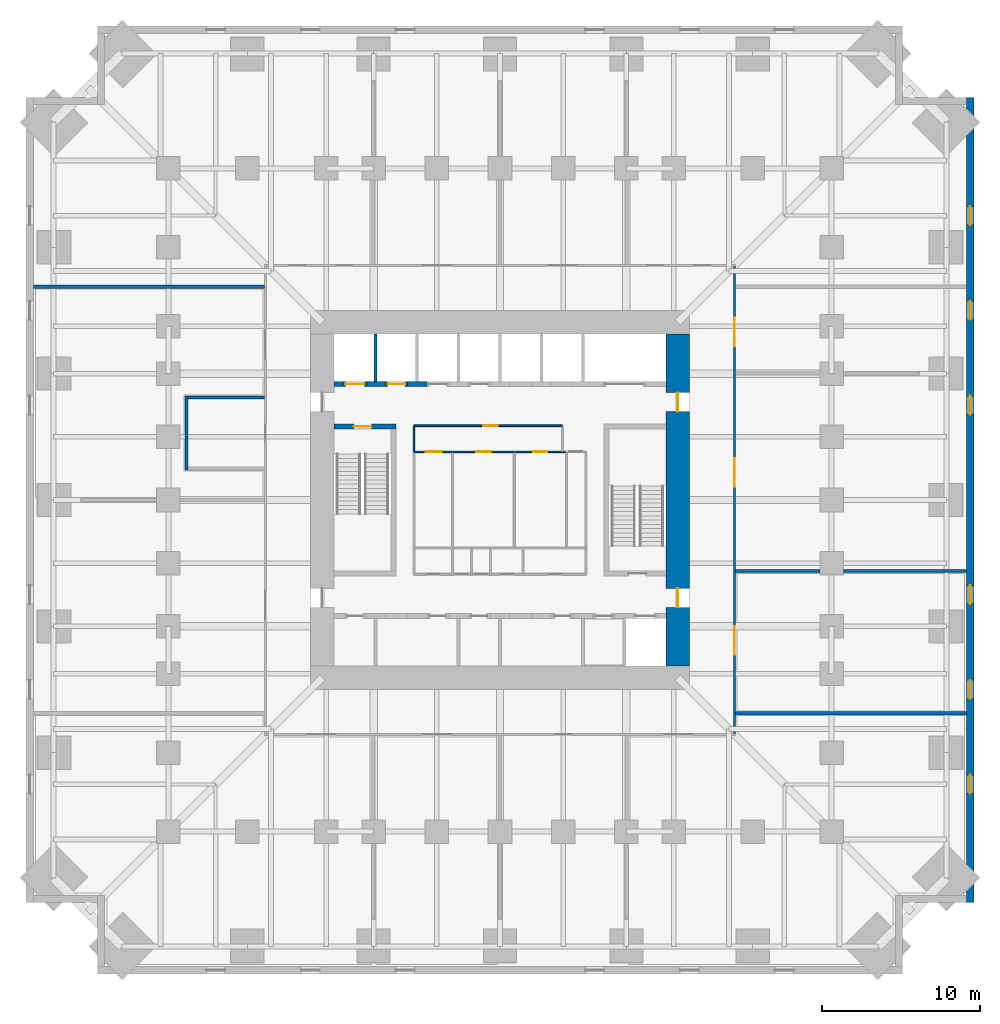
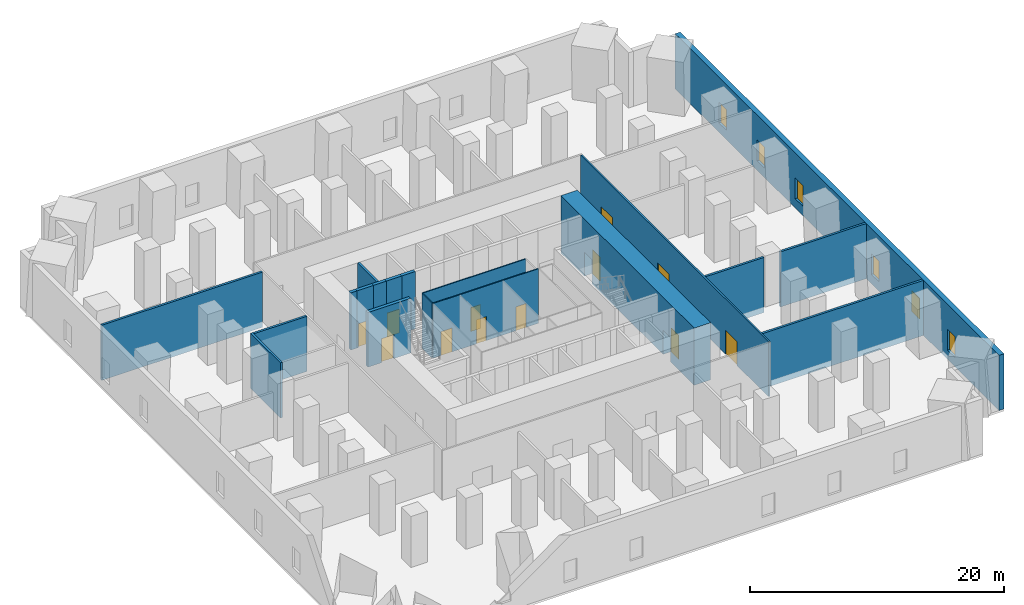
# One storey, part 5 of 8: 19 walls, 12 doors, 6 windows, 18 openings.
"""IFC4 building model written with IfcOpenShell, lengths in metres."""

import ifcopenshell
import ifcopenshell.guid

model = None  # the IFC model being written
_history = None  # IfcOwnerHistory: only IFC2X3 demands one
_inside = {}  # id of a spatial element -> (the spatial element, [elements in it])
_under = {}  # id of a project, library or spatial element -> (it, [spatial elements below it])
_declared = {}  # id of a project -> (the project, [libraries it declares])
_typed = {}  # id of a type object -> (the type object, [elements of that type])
_made_of = {}  # id of a material, layer set ... -> (it, [elements and type objects made of it])


def new_model(schema):
    """Start an empty IFC model of exactly this schema.

    Asked for "IFC4X3", IfcOpenShell would pick the latest addendum, in which some entities
    have other attributes; the version numbers below select the first issue.
    IFC2X3 requires an IfcOwnerHistory on every rooted entity: one is made here for all.
    """
    global model, _history
    if schema == "IFC4X3":
        model = ifcopenshell.file(schema_version=(4, 3, 0, 0))
    else:
        model = ifcopenshell.file(schema=schema)
    _inside.clear()
    _under.clear()
    _declared.clear()
    _typed.clear()
    _made_of.clear()
    _history = None
    if model.schema == "IFC2X3":
        org = make("IfcOrganization", Name="unknown")
        user = make(
            "IfcPersonAndOrganization",
            ThePerson=make("IfcPerson", FamilyName="unknown"),
            TheOrganization=org,
        )
        app = make(
            "IfcApplication",
            ApplicationDeveloper=org,
            Version="unknown",
            ApplicationFullName="unknown",
            ApplicationIdentifier="unknown",
        )
        _history = make(
            "IfcOwnerHistory",
            OwningUser=user,
            OwningApplication=app,
            ChangeAction="ADDED",
            CreationDate=0,
        )
    return model


def make(cls, **values):
    """One entity of the class cls with the attributes given. An attribute that is None is left unset."""
    return model.create_entity(
        cls, **{name: value for name, value in values.items() if value is not None}
    )


def rooted(cls, **values):
    """An entity with a GlobalId (a new one), such as an element, a storey or a relation."""
    return make(cls, GlobalId=ifcopenshell.guid.new(), OwnerHistory=_history, **values)


def si_unit(unit_type, name, prefix=None):
    """IfcSIUnit, for example si_unit("LENGTHUNIT", "METRE", prefix="MILLI")."""
    return make("IfcSIUnit", UnitType=unit_type, Prefix=prefix, Name=name)


def assignment(units):
    """IfcUnitAssignment: the units of a project."""
    return None if units is None else make("IfcUnitAssignment", Units=units)


def point(xyz):
    """IfcCartesianPoint."""
    return None if xyz is None else make("IfcCartesianPoint", Coordinates=xyz)


def direction(xyz):
    """IfcDirection."""
    return None if xyz is None else make("IfcDirection", DirectionRatios=xyz)


def frame(location, z_axis=None, x_axis=None):
    """IfcAxis2Placement3D, a coordinate frame: its origin and axes. An axis left out is left unset."""
    return make(
        "IfcAxis2Placement3D",
        Location=point(location),
        Axis=direction(z_axis),
        RefDirection=direction(x_axis),
    )


def frame_2d(location, x_axis=None):
    """IfcAxis2Placement2D, a coordinate frame in the plane: its origin and x axis."""
    return make(
        "IfcAxis2Placement2D", Location=point(location), RefDirection=direction(x_axis)
    )


def origin():
    """The frame at (0, 0, 0) with its axes left unset."""
    return frame((0.0, 0.0, 0.0))


def place(relative_to, where):
    """IfcLocalPlacement: puts the frame where relative to a parent placement (None: the world)."""
    return make(
        "IfcLocalPlacement", PlacementRelTo=relative_to, RelativePlacement=where
    )


def context(
    kind, dimensions, precision=None, world=None, true_north=None, identifier=None
):
    """IfcGeometricRepresentationContext, for example the 3D "Model" context."""
    return make(
        "IfcGeometricRepresentationContext",
        ContextIdentifier=identifier,
        ContextType=kind,
        CoordinateSpaceDimension=dimensions,
        Precision=precision,
        WorldCoordinateSystem=world,
        TrueNorth=true_north,
    )


def subcontext(parent, identifier, kind, view, scale=None):
    """IfcGeometricRepresentationSubContext, for example "Body" below "Model"."""
    return make(
        "IfcGeometricRepresentationSubContext",
        ContextIdentifier=identifier,
        ContextType=kind,
        ParentContext=parent,
        TargetScale=scale,
        TargetView=view,
    )


def project(units=None, contexts=None):
    """IfcProject with its units and contexts."""
    return rooted(
        "IfcProject",
        Name="project",
        RepresentationContexts=contexts,
        UnitsInContext=assignment(units),
    )


def spatial(cls, under=None, at=None, **own):
    """A site, building, storey or space (cls), placed at a placement, below another one or the project."""
    s = rooted(cls, ObjectPlacement=at, **own)
    if under is not None:
        _under.setdefault(under.id(), (under, []))[1].append(s)
    return s


def profile(cls, at=None, kind="AREA", **sizes):
    """A parametric profile (cls). Its sizes go by their IFC names, for example OverallWidth=200.0."""
    return make(cls, ProfileType=kind, Position=at, **sizes)


def rectangle(**sizes):
    """IfcRectangleProfileDef."""
    return profile("IfcRectangleProfileDef", **sizes)


def extrude(swept, where, along, depth):
    """IfcExtrudedAreaSolid: the profile swept, set in the frame where, extruded along a direction by depth."""
    return make(
        "IfcExtrudedAreaSolid",
        SweptArea=swept,
        Position=where,
        ExtrudedDirection=direction(along),
        Depth=depth,
    )


def shape(context_of_items, identifier, shape_type, items):
    """IfcShapeRepresentation: the items that make up one representation, for example the "Body"."""
    return make(
        "IfcShapeRepresentation",
        ContextOfItems=context_of_items,
        RepresentationIdentifier=identifier,
        RepresentationType=shape_type,
        Items=items,
    )


def material(Name=None, Category=None):
    """IfcMaterial."""
    return make("IfcMaterial", Name=Name, Category=Category)


def layer(
    of_material, thickness, ventilated=None, Name=None, Category=None, Priority=None
):
    """IfcMaterialLayer: one layer of a wall or slab, of a material (None: an air gap)."""
    return make(
        "IfcMaterialLayer",
        Material=of_material,
        LayerThickness=thickness,
        IsVentilated=ventilated,
        Name=Name,
        Category=Category,
        Priority=Priority,
    )


def layer_set(layers, Name=None):
    """IfcMaterialLayerSet."""
    return make("IfcMaterialLayerSet", MaterialLayers=layers, LayerSetName=Name)


def made_of(thing, what):
    """Note that an element or type object is made of a material, layer set ...; save() writes the relation."""
    if what is not None:
        _made_of.setdefault(what.id(), (what, []))[1].append(thing)
    return thing


def type_object(cls, material=None, **own):
    """A type object (cls), such as IfcWallType, which elements share."""
    return made_of(rooted(cls, **own), material)


def element(
    cls,
    number,
    at=None,
    inside=None,
    cuts=None,
    type_object=None,
    material=None,
    context=None,
    identifier="Body",
    shape_type=None,
    held_by="IfcProductDefinitionShape",
    body=None,
    shapes=None,
    **own,
):
    """One element of the class cls, such as IfcWall. Its Tag is "e" and its number.

    at: its placement. inside: the storey or other place that contains it. cuts: it is an
    opening in that element (IfcRelVoidsElement). A single representation is given by context,
    identifier, shape_type and body (its items); several are given by shapes. held_by: the class
    of the entity that holds the representations. save() writes the other relations.
    """
    e = rooted(cls, Tag="e%d" % number, ObjectPlacement=at, **own)
    if body is not None:
        shapes = [shape(context, identifier, shape_type, body)]
    if shapes is not None:
        e.Representation = make(held_by, Representations=shapes)
    if inside is not None:
        _inside.setdefault(inside.id(), (inside, []))[1].append(e)
    if cuts is not None:
        rooted(
            "IfcRelVoidsElement", RelatingBuildingElement=cuts, RelatedOpeningElement=e
        )
    if type_object is not None:
        _typed.setdefault(type_object.id(), (type_object, []))[1].append(e)
    return made_of(e, material)


def fill(opening, filler):
    """IfcRelFillsElement: the door or window that sits in an opening."""
    return rooted(
        "IfcRelFillsElement",
        RelatingOpeningElement=opening,
        RelatedBuildingElement=filler,
    )


def aggregate(whole, parts):
    """IfcRelAggregates: a whole, such as a stair, and the parts it consists of."""
    return rooted("IfcRelAggregates", RelatingObject=whole, RelatedObjects=parts)


def save(model, path):
    """Write the relations noted so far, then the file.

    IfcRelAggregates (storeys below a building ...), IfcRelContainedInSpatialStructure (elements
    in a storey), IfcRelDefinesByType, IfcRelAssociatesMaterial and IfcRelDeclares: one each for
    every whole, place, type object, material and project.
    """
    for whole, parts in _under.values():
        aggregate(whole, parts)
    for where, things in _inside.values():
        rooted(
            "IfcRelContainedInSpatialStructure",
            RelatedElements=things,
            RelatingStructure=where,
        )
    for kind, things in _typed.values():
        rooted("IfcRelDefinesByType", RelatedObjects=things, RelatingType=kind)
    for what, things in _made_of.values():
        rooted("IfcRelAssociatesMaterial", RelatedObjects=things, RelatingMaterial=what)
    for by, libraries in _declared.values():
        rooted("IfcRelDeclares", RelatingContext=by, RelatedDefinitions=libraries)
    model.write(path)


model = new_model("IFC4")

# Units and contexts
model_context = context("Model", 3, precision=1e-05, world=origin(), true_north=direction((0.0, 1.0)))
body_context = subcontext(model_context, "Body", "Model", "MODEL_VIEW")
ifc_project = project(units=[si_unit("LENGTHUNIT", "METRE"), si_unit("AREAUNIT", "SQUARE_METRE"), si_unit("VOLUMEUNIT", "CUBIC_METRE"), si_unit("PLANEANGLEUNIT", "RADIAN"), si_unit("MASSUNIT", "GRAM", prefix="KILO")], contexts=[model_context])

# Site, building, storey
site_placement = place(None, origin())
site = spatial("IfcSite", under=ifc_project, at=site_placement, CompositionType="ELEMENT")
building_placement = place(site_placement, origin())
building = spatial("IfcBuilding", under=site, at=building_placement, Name="Peilmerk Tower", CompositionType="ELEMENT")
storey_placement = place(building_placement, frame((0.0, 0.0, 65.0)))
storey = spatial("IfcBuildingStorey", under=building, at=storey_placement, Name="L12", CompositionType="ELEMENT", Elevation=65.0)

# Wall, openings, windows
ifc_material_1 = material(Name="Precast concrete C45/55, board-marked finish", Category="concrete")
ifc_layer_1 = layer(ifc_material_1, 0.449951171875)
ifc_layer_set_1 = layer_set([ifc_layer_1], Name="Precast concrete C45/55, board-marked finish")
wall_type_1 = type_object("IfcWallType", Name="EW1 450 precast concrete facade wall, board-marked", PredefinedType="SOLIDWALL", material=ifc_layer_set_1)
wall_1_placement = place(storey_placement, frame((29.77490234375, -25.5, 0.0), z_axis=(0.0, 0.0, 1.0), x_axis=(0.0, 1.0, 0.0)))
wall_1 = element("IfcWall", 1, at=wall_1_placement, inside=storey, type_object=wall_type_1, Name="Facade wall E L12", PredefinedType="SOLIDWALL", context=body_context, shape_type="SweptSolid", body=[
    extrude(rectangle(XDim=51.0, YDim=0.449951171875, at=frame_2d((25.5, 0.0))), origin(), (0.0, 0.0, 1.0), 5.300048828125),
])
opening_1_placement = place(wall_1_placement, frame((6.89990234375, 0.0, 0.89990234375)))
opening_1 = element("IfcOpeningElement", 2, at=opening_1_placement, cuts=wall_1, Name="Opening W2", PredefinedType="OPENING", context=body_context, shape_type="SweptSolid", body=[
    extrude(rectangle(XDim=1.199951171875, YDim=2.0, at=frame_2d((0.60009765625, 1.0))), frame((0.0, 0.23486328125, 0.0), z_axis=(0.0, -1.0, 0.0), x_axis=(1.0, 0.0, 0.0)), (0.0, 0.0, 1.0), 0.469970703125),
])
opening_2_placement = place(wall_1_placement, frame((12.89990234375, 0.0, 0.89990234375)))
opening_2 = element("IfcOpeningElement", 3, at=opening_2_placement, cuts=wall_1, Name="Opening W2", PredefinedType="OPENING", context=body_context, shape_type="SweptSolid", body=[
    extrude(rectangle(XDim=1.199951171875, YDim=2.0, at=frame_2d((0.60009765625, 1.0))), frame((0.0, 0.23486328125, 0.0), z_axis=(0.0, -1.0, 0.0), x_axis=(1.0, 0.0, 0.0)), (0.0, 0.0, 1.0), 0.469970703125),
])
opening_3_placement = place(wall_1_placement, frame((18.89990234375, 0.0, 0.89990234375)))
opening_3 = element("IfcOpeningElement", 4, at=opening_3_placement, cuts=wall_1, Name="Opening W2", PredefinedType="OPENING", context=body_context, shape_type="SweptSolid", body=[
    extrude(rectangle(XDim=1.199951171875, YDim=2.0, at=frame_2d((0.60009765625, 1.0))), frame((0.0, 0.23486328125, 0.0), z_axis=(0.0, -1.0, 0.0), x_axis=(1.0, 0.0, 0.0)), (0.0, 0.0, 1.0), 0.469970703125),
])
opening_4_placement = place(wall_1_placement, frame((30.89990234375, 0.0, 0.89990234375)))
opening_4 = element("IfcOpeningElement", 5, at=opening_4_placement, cuts=wall_1, Name="Opening W2", PredefinedType="OPENING", context=body_context, shape_type="SweptSolid", body=[
    extrude(rectangle(XDim=1.199951171875, YDim=2.0, at=frame_2d((0.60009765625, 1.0))), frame((0.0, 0.23486328125, 0.0), z_axis=(0.0, -1.0, 0.0), x_axis=(1.0, 0.0, 0.0)), (0.0, 0.0, 1.0), 0.469970703125),
])
opening_5_placement = place(wall_1_placement, frame((36.89990234375, 0.0, 0.89990234375)))
opening_5 = element("IfcOpeningElement", 6, at=opening_5_placement, cuts=wall_1, Name="Opening W2", PredefinedType="OPENING", context=body_context, shape_type="SweptSolid", body=[
    extrude(rectangle(XDim=1.199951171875, YDim=2.0, at=frame_2d((0.60009765625, 1.0))), frame((0.0, 0.23486328125, 0.0), z_axis=(0.0, -1.0, 0.0), x_axis=(1.0, 0.0, 0.0)), (0.0, 0.0, 1.0), 0.469970703125),
])
opening_6_placement = place(wall_1_placement, frame((42.89990234375, 0.0, 0.89990234375)))
opening_6 = element("IfcOpeningElement", 7, at=opening_6_placement, cuts=wall_1, Name="Opening W2", PredefinedType="OPENING", context=body_context, shape_type="SweptSolid", body=[
    extrude(rectangle(XDim=1.199951171875, YDim=2.0, at=frame_2d((0.60009765625, 1.0))), frame((0.0, 0.23486328125, 0.0), z_axis=(0.0, -1.0, 0.0), x_axis=(1.0, 0.0, 0.0)), (0.0, 0.0, 1.0), 0.469970703125),
])
ifc_material_2 = material(Name="Aluminium frame, clear double glazing", Category="aluminium")
window_type = type_object("IfcWindowType", Name="W2 1200x2000 data hall slot window", PartitioningType="SINGLE_PANEL", PredefinedType="WINDOW", material=ifc_material_2)
window_1_placement = place(opening_1_placement, origin())
window_1 = element("IfcWindow", 8, at=window_1_placement, inside=storey, type_object=window_type, Name="Window W2 L12", OverallHeight=2.0, OverallWidth=1.199951171875, PartitioningType="SINGLE_PANEL", PredefinedType="WINDOW", context=body_context, shape_type="SweptSolid", body=[
    extrude(rectangle(XDim=1.199951171875, YDim=2.0, at=frame_2d((0.60009765625, 1.0))), frame((0.0, 0.030029296875, 0.0), z_axis=(0.0, -1.0, 0.0), x_axis=(1.0, 0.0, 0.0)), (0.0, 0.0, 1.0), 0.06005859375),
])
fill(opening_1, window_1)
window_2_placement = place(opening_2_placement, origin())
window_2 = element("IfcWindow", 9, at=window_2_placement, inside=storey, type_object=window_type, Name="Window W2 L12", OverallHeight=2.0, OverallWidth=1.199951171875, PartitioningType="SINGLE_PANEL", PredefinedType="WINDOW", context=body_context, shape_type="SweptSolid", body=[
    extrude(rectangle(XDim=1.199951171875, YDim=2.0, at=frame_2d((0.60009765625, 1.0))), frame((0.0, 0.030029296875, 0.0), z_axis=(0.0, -1.0, 0.0), x_axis=(1.0, 0.0, 0.0)), (0.0, 0.0, 1.0), 0.06005859375),
])
fill(opening_2, window_2)
window_3_placement = place(opening_3_placement, origin())
window_3 = element("IfcWindow", 10, at=window_3_placement, inside=storey, type_object=window_type, Name="Window W2 L12", OverallHeight=2.0, OverallWidth=1.199951171875, PartitioningType="SINGLE_PANEL", PredefinedType="WINDOW", context=body_context, shape_type="SweptSolid", body=[
    extrude(rectangle(XDim=1.199951171875, YDim=2.0, at=frame_2d((0.60009765625, 1.0))), frame((0.0, 0.030029296875, 0.0), z_axis=(0.0, -1.0, 0.0), x_axis=(1.0, 0.0, 0.0)), (0.0, 0.0, 1.0), 0.06005859375),
])
fill(opening_3, window_3)
window_4_placement = place(opening_4_placement, origin())
window_4 = element("IfcWindow", 11, at=window_4_placement, inside=storey, type_object=window_type, Name="Window W2 L12", OverallHeight=2.0, OverallWidth=1.199951171875, PartitioningType="SINGLE_PANEL", PredefinedType="WINDOW", context=body_context, shape_type="SweptSolid", body=[
    extrude(rectangle(XDim=1.199951171875, YDim=2.0, at=frame_2d((0.60009765625, 1.0))), frame((0.0, 0.030029296875, 0.0), z_axis=(0.0, -1.0, 0.0), x_axis=(1.0, 0.0, 0.0)), (0.0, 0.0, 1.0), 0.06005859375),
])
fill(opening_4, window_4)
window_5_placement = place(opening_5_placement, origin())
window_5 = element("IfcWindow", 12, at=window_5_placement, inside=storey, type_object=window_type, Name="Window W2 L12", OverallHeight=2.0, OverallWidth=1.199951171875, PartitioningType="SINGLE_PANEL", PredefinedType="WINDOW", context=body_context, shape_type="SweptSolid", body=[
    extrude(rectangle(XDim=1.199951171875, YDim=2.0, at=frame_2d((0.60009765625, 1.0))), frame((0.0, 0.030029296875, 0.0), z_axis=(0.0, -1.0, 0.0), x_axis=(1.0, 0.0, 0.0)), (0.0, 0.0, 1.0), 0.06005859375),
])
fill(opening_5, window_5)
window_6_placement = place(opening_6_placement, origin())
window_6 = element("IfcWindow", 13, at=window_6_placement, inside=storey, type_object=window_type, Name="Window W2 L12", OverallHeight=2.0, OverallWidth=1.199951171875, PartitioningType="SINGLE_PANEL", PredefinedType="WINDOW", context=body_context, shape_type="SweptSolid", body=[
    extrude(rectangle(XDim=1.199951171875, YDim=2.0, at=frame_2d((0.60009765625, 1.0))), frame((0.0, 0.030029296875, 0.0), z_axis=(0.0, -1.0, 0.0), x_axis=(1.0, 0.0, 0.0)), (0.0, 0.0, 1.0), 0.06005859375),
])
fill(opening_6, window_6)

# Wall, openings, doors
ifc_material_3 = material(Name="Calcium silicate block", Category="masonry")
ifc_layer_2 = layer(ifc_material_3, 0.14990234375)
ifc_layer_set_2 = layer_set([ifc_layer_2], Name="Calcium silicate block")
wall_type_2 = type_object("IfcWallType", Name="IW1 150 corridor partition, EI 60", PredefinedType="PARTITIONING", material=ifc_layer_set_2)
wall_2_placement = place(storey_placement, frame((14.85009765625, -14.77490234375, 0.0), z_axis=(0.0, 0.0, 1.0), x_axis=(0.0, 1.0, 0.0)))
wall_2 = element("IfcWall", 14, at=wall_2_placement, inside=storey, type_object=wall_type_2, Name="Corridor wall E L12", PredefinedType="PARTITIONING", context=body_context, shape_type="SweptSolid", body=[
    extrude(rectangle(XDim=29.5498046875, YDim=0.14990234375, at=frame_2d((14.77490234375, 0.0))), origin(), (0.0, 0.0, 1.0), 5.300048828125),
])
opening_7_placement = place(wall_2_placement, frame((4.97509765625, 0.0, 0.0)))
opening_7 = element("IfcOpeningElement", 15, at=opening_7_placement, cuts=wall_2, Name="Opening D2", PredefinedType="OPENING", context=body_context, shape_type="SweptSolid", body=[
    extrude(rectangle(XDim=1.800048828125, YDim=2.300048828125, at=frame_2d((0.89990234375, 1.14990234375))), frame((0.0, 0.0849609375, 0.0), z_axis=(0.0, -1.0, 0.0), x_axis=(1.0, 0.0, 0.0)), (0.0, 0.0, 1.0), 0.169921875),
])
opening_8_placement = place(wall_2_placement, frame((15.625, 0.0, 0.0)))
opening_8 = element("IfcOpeningElement", 16, at=opening_8_placement, cuts=wall_2, Name="Opening D2", PredefinedType="OPENING", context=body_context, shape_type="SweptSolid", body=[
    extrude(rectangle(XDim=1.800048828125, YDim=2.300048828125, at=frame_2d((0.89990234375, 1.14990234375))), frame((0.0, 0.0849609375, 0.0), z_axis=(0.0, -1.0, 0.0), x_axis=(1.0, 0.0, 0.0)), (0.0, 0.0, 1.0), 0.169921875),
])
opening_9_placement = place(wall_2_placement, frame((24.52490234375, 0.0, 0.0)))
opening_9 = element("IfcOpeningElement", 17, at=opening_9_placement, cuts=wall_2, Name="Opening D2", PredefinedType="OPENING", context=body_context, shape_type="SweptSolid", body=[
    extrude(rectangle(XDim=1.800048828125, YDim=2.300048828125, at=frame_2d((0.89990234375, 1.14990234375))), frame((0.0, 0.0849609375, 0.0), z_axis=(0.0, -1.0, 0.0), x_axis=(1.0, 0.0, 0.0)), (0.0, 0.0, 1.0), 0.169921875),
])
ifc_material_4 = material(Name="Steel door in steel frame", Category="steel")
door_type_1 = type_object("IfcDoorType", Name="D2 1800x2300 double door, EI2 60", OperationType="DOUBLE_DOOR_DOUBLE_SWING", PredefinedType="DOOR", material=ifc_material_4)
door_1_placement = place(opening_7_placement, frame((1.800048828125, 0.0, 0.0), z_axis=(0.0, 0.0, 1.0), x_axis=(-1.0, 0.0, 0.0)))
door_1 = element("IfcDoor", 18, at=door_1_placement, inside=storey, type_object=door_type_1, Name="Door UPS room L12", OperationType="DOUBLE_DOOR_DOUBLE_SWING", OverallHeight=2.300048828125, OverallWidth=1.800048828125, PredefinedType="DOOR", context=body_context, shape_type="SweptSolid", body=[
    extrude(rectangle(XDim=1.800048828125, YDim=2.300048828125, at=frame_2d((0.89990234375, 1.14990234375))), frame((0.0, 0.02490234375, 0.0), z_axis=(0.0, -1.0, 0.0), x_axis=(1.0, 0.0, 0.0)), (0.0, 0.0, 1.0), 0.050048828125),
])
fill(opening_7, door_1)
door_2_placement = place(opening_8_placement, frame((1.800048828125, 0.0, 0.0), z_axis=(0.0, 0.0, 1.0), x_axis=(-1.0, 0.0, 0.0)))
door_2 = element("IfcDoor", 19, at=door_2_placement, inside=storey, type_object=door_type_1, Name="Door Battery room L12", OperationType="DOUBLE_DOOR_DOUBLE_SWING", OverallHeight=2.300048828125, OverallWidth=1.800048828125, PredefinedType="DOOR", context=body_context, shape_type="SweptSolid", body=[
    extrude(rectangle(XDim=1.800048828125, YDim=2.300048828125, at=frame_2d((0.89990234375, 1.14990234375))), frame((0.0, 0.02490234375, 0.0), z_axis=(0.0, -1.0, 0.0), x_axis=(1.0, 0.0, 0.0)), (0.0, 0.0, 1.0), 0.050048828125),
])
fill(opening_8, door_2)
door_3_placement = place(opening_9_placement, frame((1.800048828125, 0.0, 0.0), z_axis=(0.0, 0.0, 1.0), x_axis=(-1.0, 0.0, 0.0)))
door_3 = element("IfcDoor", 20, at=door_3_placement, inside=storey, type_object=door_type_1, Name="Door Switchgear room L12", OperationType="DOUBLE_DOOR_DOUBLE_SWING", OverallHeight=2.300048828125, OverallWidth=1.800048828125, PredefinedType="DOOR", context=body_context, shape_type="SweptSolid", body=[
    extrude(rectangle(XDim=1.800048828125, YDim=2.300048828125, at=frame_2d((0.89990234375, 1.14990234375))), frame((0.0, 0.02490234375, 0.0), z_axis=(0.0, -1.0, 0.0), x_axis=(1.0, 0.0, 0.0)), (0.0, 0.0, 1.0), 0.050048828125),
])
fill(opening_9, door_3)

# Walls
ifc_layer_3 = layer(ifc_material_3, 0.199951171875)
ifc_layer_set_3 = layer_set([ifc_layer_3], Name="Calcium silicate block")
wall_type_3 = type_object("IfcWallType", Name="IW2 200 room separating wall, EI 120", PredefinedType="PARTITIONING", material=ifc_layer_set_3)
for number, where, z_axis, x_axis, name in (
    (21, (-29.550048828125, 13.5, 0.0), (0.0, 0.0, 1.0), (1.0, 0.0, 0.0), "Room separating wall NW L12"),
    (22, (29.550048828125, -13.5, 0.0), (0.0, 0.0, 1.0), (-1.0, 0.0, 0.0), "Room separating wall SE L12"),
):
    element("IfcWall", number, at=place(storey_placement, frame(where, z_axis=z_axis, x_axis=x_axis)), inside=storey, type_object=wall_type_3, Name=name, PredefinedType="PARTITIONING", context=body_context, shape_type="SweptSolid", body=[
        extrude(rectangle(XDim=14.625, YDim=0.199951171875, at=frame_2d((7.3125, 0.0))), origin(), (0.0, 0.0, 1.0), 5.300048828125),
    ])
wall_3_placement = place(storey_placement, frame((14.925048828125, -4.5, 0.0), z_axis=(0.0, 0.0, 1.0), x_axis=(1.0, 0.0, 0.0)))
element("IfcWall", 23, at=wall_3_placement, inside=storey, type_object=wall_type_3, Name="Room separating wall E1 L12", PredefinedType="PARTITIONING", context=body_context, shape_type="SweptSolid", body=[
    extrude(rectangle(XDim=5.324951171875, YDim=0.199951171875, at=frame_2d((2.66259765625, 0.0))), origin(), (0.0, 0.0, 1.0), 5.300048828125),
])
wall_4_placement = place(storey_placement, frame((21.75, -4.5, 0.0), z_axis=(0.0, 0.0, 1.0), x_axis=(1.0, 0.0, 0.0)))
element("IfcWall", 24, at=wall_4_placement, inside=storey, type_object=wall_type_3, Name="Room separating wall E1b L12", PredefinedType="PARTITIONING", context=body_context, shape_type="SweptSolid", body=[
    extrude(rectangle(XDim=7.800048828125, YDim=0.199951171875, at=frame_2d((3.89990234375, 0.0))), origin(), (0.0, 0.0, 1.0), 5.300048828125),
])
wall_5_placement = place(storey_placement, frame((-19.85009765625, 1.89990234375, 0.0), z_axis=(0.0, 0.0, 1.0), x_axis=(0.0, 1.0, 0.0)))
element("IfcWall", 25, at=wall_5_placement, inside=storey, type_object=wall_type_3, Name="Room separating wall Operations office L12", PredefinedType="PARTITIONING", context=body_context, shape_type="SweptSolid", body=[
    extrude(rectangle(XDim=4.7001953125, YDim=0.199951171875, at=frame_2d((2.35009765625, 0.0))), origin(), (0.0, 0.0, 1.0), 5.300048828125),
])
wall_6_placement = place(storey_placement, frame((-14.925048828125, 6.5, 0.0), z_axis=(0.0, 0.0, 1.0), x_axis=(-1.0, 0.0, 0.0)))
element("IfcWall", 26, at=wall_6_placement, inside=storey, type_object=wall_type_3, Name="Room separating wall Operations office L12", PredefinedType="PARTITIONING", context=body_context, shape_type="SweptSolid", body=[
    extrude(rectangle(XDim=4.824951171875, YDim=0.199951171875, at=frame_2d((2.41259765625, 0.0))), origin(), (0.0, 0.0, 1.0), 5.300048828125),
])

# Wall, opening, door
ifc_material_5 = material(Name="Concrete C35/45", Category="concrete")
ifc_layer_4 = layer(ifc_material_5, 0.300048828125)
ifc_layer_set_4 = layer_set([ifc_layer_4], Name="Concrete C35/45")
wall_type_4 = type_object("IfcWallType", Name="IW3 300 concrete stair enclosure wall, EI 120", PredefinedType="SOLIDWALL", material=ifc_layer_set_4)
wall_7_placement = place(storey_placement, frame((-10.5, 4.64990234375, 0.0), z_axis=(0.0, 0.0, 1.0), x_axis=(1.0, 0.0, 0.0)))
wall_7 = element("IfcWall", 27, at=wall_7_placement, inside=storey, type_object=wall_type_4, Name="Stair 1 enclosure L12", PredefinedType="SOLIDWALL", context=body_context, shape_type="SweptSolid", body=[
    extrude(rectangle(XDim=3.89990234375, YDim=0.300048828125, at=frame_2d((1.949951171875, 0.0))), origin(), (0.0, 0.0, 1.0), 5.25),
])
opening_10_placement = place(wall_7_placement, frame((1.25, 0.0, 0.0)))
opening_10 = element("IfcOpeningElement", 28, at=opening_10_placement, cuts=wall_7, Name="Opening D4", PredefinedType="OPENING", context=body_context, shape_type="SweptSolid", body=[
    extrude(rectangle(XDim=1.10009765625, YDim=2.300048828125, at=frame_2d((0.550048828125, 1.14990234375))), frame((0.0, 0.159912109375, 0.0), z_axis=(0.0, -1.0, 0.0), x_axis=(1.0, 0.0, 0.0)), (0.0, 0.0, 1.0), 0.320068359375),
])
door_type_2 = type_object("IfcDoorType", Name="D4 1100x2300 stair door, EI2 60", OperationType="SINGLE_SWING_RIGHT", PredefinedType="DOOR", material=ifc_material_4)
door_4_placement = place(opening_10_placement, frame((1.10009765625, 0.0, 0.0), z_axis=(0.0, 0.0, 1.0), x_axis=(-1.0, 0.0, 0.0)))
door_4 = element("IfcDoor", 29, at=door_4_placement, inside=storey, type_object=door_type_2, Name="Stair 1 door L12", OperationType="SINGLE_SWING_RIGHT", OverallHeight=2.300048828125, OverallWidth=1.10009765625, PredefinedType="DOOR", context=body_context, shape_type="SweptSolid", body=[
    extrude(rectangle(XDim=1.10009765625, YDim=2.300048828125, at=frame_2d((0.550048828125, 1.14990234375))), frame((0.0, 0.02490234375, 0.0), z_axis=(0.0, -1.0, 0.0), x_axis=(1.0, 0.0, 0.0)), (0.0, 0.0, 1.0), 0.050048828125),
])
fill(opening_10, door_4)

# Wall, openings, doors
ifc_material_6 = material(Name="Plasterboard on steel studs", Category="steel")
ifc_layer_5 = layer(ifc_material_6, 0.10009765625)
ifc_layer_set_5 = layer_set([ifc_layer_5], Name="Plasterboard on steel studs")
wall_type_5 = type_object("IfcWallType", Name="IW4 100 WC partition", PredefinedType="PARTITIONING", material=ifc_layer_set_5)
wall_8_placement = place(storey_placement, frame((-5.449951171875, 3.050048828125, 0.0), z_axis=(0.0, 0.0, 1.0), x_axis=(1.0, 0.0, 0.0)))
wall_8 = element("IfcWall", 30, at=wall_8_placement, inside=storey, type_object=wall_type_5, Name="WC wall L12", PredefinedType="PARTITIONING", context=body_context, shape_type="SweptSolid", body=[
    extrude(rectangle(XDim=9.599853515625, YDim=0.10009765625, at=frame_2d((4.7998046875, 0.0))), origin(), (0.0, 0.0, 1.0), 5.25),
])
opening_11_placement = place(wall_8_placement, frame((0.75, 0.0, 0.0)))
opening_11 = element("IfcOpeningElement", 31, at=opening_11_placement, cuts=wall_8, Name="Opening D6", PredefinedType="OPENING", context=body_context, shape_type="SweptSolid", body=[
    extrude(rectangle(XDim=1.0, YDim=2.300048828125, at=frame_2d((0.5, 1.14990234375))), frame((0.0, 0.06005859375, 0.0), z_axis=(0.0, -1.0, 0.0), x_axis=(1.0, 0.0, 0.0)), (0.0, 0.0, 1.0), 0.1201171875),
])
opening_12_placement = place(wall_8_placement, frame((3.949951171875, 0.0, 0.0)))
opening_12 = element("IfcOpeningElement", 32, at=opening_12_placement, cuts=wall_8, Name="Opening D5", PredefinedType="OPENING", context=body_context, shape_type="SweptSolid", body=[
    extrude(rectangle(XDim=0.89990234375, YDim=2.300048828125, at=frame_2d((0.449951171875, 1.14990234375))), frame((0.0, 0.06005859375, 0.0), z_axis=(0.0, -1.0, 0.0), x_axis=(1.0, 0.0, 0.0)), (0.0, 0.0, 1.0), 0.1201171875),
])
opening_13_placement = place(wall_8_placement, frame((7.550048828125, 0.0, 0.0)))
opening_13 = element("IfcOpeningElement", 33, at=opening_13_placement, cuts=wall_8, Name="Opening D5", PredefinedType="OPENING", context=body_context, shape_type="SweptSolid", body=[
    extrude(rectangle(XDim=0.89990234375, YDim=2.300048828125, at=frame_2d((0.449951171875, 1.14990234375))), frame((0.0, 0.06005859375, 0.0), z_axis=(0.0, -1.0, 0.0), x_axis=(1.0, 0.0, 0.0)), (0.0, 0.0, 1.0), 0.1201171875),
])
ifc_material_7 = material(Name="Timber door in steel frame", Category="steel")
door_type_3 = type_object("IfcDoorType", Name="D5 900x2300 WC door", OperationType="SINGLE_SWING_LEFT", PredefinedType="DOOR", material=ifc_material_7)
door_5_placement = place(opening_12_placement, frame((0.89990234375, 0.0, 0.0), z_axis=(0.0, 0.0, 1.0), x_axis=(-1.0, 0.0, 0.0)))
door_5 = element("IfcDoor", 34, at=door_5_placement, inside=storey, type_object=door_type_3, Name="Female toilets door L12", OperationType="SINGLE_SWING_LEFT", OverallHeight=2.300048828125, OverallWidth=0.89990234375, PredefinedType="DOOR", context=body_context, shape_type="SweptSolid", body=[
    extrude(rectangle(XDim=0.89990234375, YDim=2.300048828125, at=frame_2d((0.449951171875, 1.14990234375))), frame((0.0, 0.02490234375, 0.0), z_axis=(0.0, -1.0, 0.0), x_axis=(1.0, 0.0, 0.0)), (0.0, 0.0, 1.0), 0.050048828125),
])
fill(opening_12, door_5)
door_6_placement = place(opening_13_placement, frame((0.89990234375, 0.0, 0.0), z_axis=(0.0, 0.0, 1.0), x_axis=(-1.0, 0.0, 0.0)))
door_6 = element("IfcDoor", 35, at=door_6_placement, inside=storey, type_object=door_type_3, Name="Male toilets door L12", OperationType="SINGLE_SWING_LEFT", OverallHeight=2.300048828125, OverallWidth=0.89990234375, PredefinedType="DOOR", context=body_context, shape_type="SweptSolid", body=[
    extrude(rectangle(XDim=0.89990234375, YDim=2.300048828125, at=frame_2d((0.449951171875, 1.14990234375))), frame((0.0, 0.02490234375, 0.0), z_axis=(0.0, -1.0, 0.0), x_axis=(1.0, 0.0, 0.0)), (0.0, 0.0, 1.0), 0.050048828125),
])
fill(opening_13, door_6)
door_type_4 = type_object("IfcDoorType", Name="D6 1000x2300 accessible WC door", OperationType="SLIDING_TO_LEFT", PredefinedType="DOOR", material=ifc_material_7)
door_7_placement = place(opening_11_placement, frame((1.0, 0.0, 0.0), z_axis=(0.0, 0.0, 1.0), x_axis=(-1.0, 0.0, 0.0)))
door_7 = element("IfcDoor", 36, at=door_7_placement, inside=storey, type_object=door_type_4, Name="Accessible WC door L12", OperationType="SLIDING_TO_LEFT", OverallHeight=2.300048828125, OverallWidth=1.0, PredefinedType="DOOR", context=body_context, shape_type="SweptSolid", body=[
    extrude(rectangle(XDim=1.0, YDim=2.300048828125, at=frame_2d((0.5, 1.14990234375))), frame((0.0, 0.02490234375, 0.0), z_axis=(0.0, -1.0, 0.0), x_axis=(1.0, 0.0, 0.0)), (0.0, 0.0, 1.0), 0.050048828125),
])
fill(opening_11, door_7)

# Wall, opening, door
ifc_material_8 = material(Name="Fire-resisting plasterboard on steel studs", Category="steel")
ifc_layer_6 = layer(ifc_material_8, 0.10009765625)
ifc_layer_set_6 = layer_set([ifc_layer_6], Name="Fire-resisting plasterboard on steel studs")
wall_type_6 = type_object("IfcWallType", Name="IW9 100 WC lobby wall, EI 30", PredefinedType="PARTITIONING", material=ifc_layer_set_6)
wall_9_placement = place(storey_placement, frame((-5.449951171875, 4.699951171875, 0.0), z_axis=(0.0, 0.0, 1.0), x_axis=(1.0, 0.0, 0.0)))
wall_9 = element("IfcWall", 37, at=wall_9_placement, inside=storey, type_object=wall_type_6, Name="WC lobby wall L12", PredefinedType="PARTITIONING", context=body_context, shape_type="SweptSolid", body=[
    extrude(rectangle(XDim=9.39990234375, YDim=0.10009765625, at=frame_2d((4.699951171875, 0.0))), origin(), (0.0, 0.0, 1.0), 5.25),
])
opening_14_placement = place(wall_9_placement, frame((4.39990234375, 0.0, 0.0)))
opening_14 = element("IfcOpeningElement", 38, at=opening_14_placement, cuts=wall_9, Name="Opening D11", PredefinedType="OPENING", context=body_context, shape_type="SweptSolid", body=[
    extrude(rectangle(XDim=0.89990234375, YDim=2.300048828125, at=frame_2d((0.449951171875, 1.14990234375))), frame((0.0, 0.06005859375, 0.0), z_axis=(0.0, -1.0, 0.0), x_axis=(1.0, 0.0, 0.0)), (0.0, 0.0, 1.0), 0.1201171875),
])
door_type_5 = type_object("IfcDoorType", Name="D11 900x2300 WC lobby door, EI2 30", OperationType="SINGLE_SWING_LEFT", PredefinedType="DOOR", material=ifc_material_7)
door_8_placement = place(opening_14_placement, frame((0.89990234375, 0.0, 0.0), z_axis=(0.0, 0.0, 1.0), x_axis=(-1.0, 0.0, 0.0)))
door_8 = element("IfcDoor", 39, at=door_8_placement, inside=storey, type_object=door_type_5, Name="WC lobby door L12", OperationType="SINGLE_SWING_LEFT", OverallHeight=2.300048828125, OverallWidth=0.89990234375, PredefinedType="DOOR", context=body_context, shape_type="SweptSolid", body=[
    extrude(rectangle(XDim=0.89990234375, YDim=2.300048828125, at=frame_2d((0.449951171875, 1.14990234375))), frame((0.0, 0.02490234375, 0.0), z_axis=(0.0, -1.0, 0.0), x_axis=(1.0, 0.0, 0.0)), (0.0, 0.0, 1.0), 0.050048828125),
])
fill(opening_14, door_8)

# Walls
wall_10_placement = place(storey_placement, frame((-5.449951171875, 3.10009765625, 0.0), z_axis=(0.0, 0.0, 1.0), x_axis=(0.0, 1.0, 0.0)))
element("IfcWall", 40, at=wall_10_placement, inside=storey, type_object=wall_type_6, Name="WC lobby wall L12", PredefinedType="PARTITIONING", context=body_context, shape_type="SweptSolid", body=[
    extrude(rectangle(XDim=1.5498046875, YDim=0.10009765625, at=frame_2d((0.77490234375, 0.0))), origin(), (0.0, 0.0, 1.0), 5.25),
])
ifc_layer_7 = layer(ifc_material_3, 0.199951171875)
ifc_layer_set_7 = layer_set([ifc_layer_7], Name="Calcium silicate block")
wall_type_7 = type_object("IfcWallType", Name="SH1 200 shaft dividing wall, EI 120", PredefinedType="PARTITIONING", material=ifc_layer_set_7)
wall_11_placement = place(storey_placement, frame((-7.875, 7.5, 0.0), z_axis=(0.0, 0.0, 1.0), x_axis=(0.0, 1.0, 0.0)))
element("IfcWall", 41, at=wall_11_placement, inside=storey, type_object=wall_type_7, Name="Shaft wall N FL1 L12", PredefinedType="PARTITIONING", context=body_context, shape_type="SweptSolid", body=[
    extrude(rectangle(XDim=3.0, YDim=0.199951171875, at=frame_2d((1.5, 0.0))), origin(), (0.0, 0.0, 1.0), 5.5),
])

# Wall, opening, door
ifc_layer_8 = layer(ifc_material_3, 0.300048828125)
ifc_layer_set_8 = layer_set([ifc_layer_8], Name="Calcium silicate block")
wall_type_8 = type_object("IfcWallType", Name="SH2 300 lift landing door panel, EI 120", PredefinedType="PARTITIONING", material=ifc_layer_set_8)
wall_12_placement = place(storey_placement, frame((-9.9375, 7.35009765625, 0.0), z_axis=(0.0, 0.0, 1.0), x_axis=(1.0, 0.0, 0.0)))
wall_12 = element("IfcWall", 42, at=wall_12_placement, inside=storey, type_object=wall_type_8, Name="Lift door panel N FL1 L12", PredefinedType="PARTITIONING", context=body_context, shape_type="SweptSolid", body=[
    extrude(rectangle(XDim=1.5, YDim=0.300048828125, at=frame_2d((0.75, 0.0))), origin(), (0.0, 0.0, 1.0), 5.5),
])
opening_15_placement = place(wall_12_placement, frame((0.14990234375, 0.0, 0.0)))
opening_15 = element("IfcOpeningElement", 43, at=opening_15_placement, cuts=wall_12, Name="Opening LD2", PredefinedType="OPENING", context=body_context, shape_type="SweptSolid", body=[
    extrude(rectangle(XDim=1.199951171875, YDim=2.300048828125, at=frame_2d((0.60009765625, 1.14990234375))), frame((0.0, 0.159912109375, 0.0), z_axis=(0.0, -1.0, 0.0), x_axis=(1.0, 0.0, 0.0)), (0.0, 0.0, 1.0), 0.320068359375),
])
ifc_material_9 = material(Name="Stainless steel landing door", Category="steel")
door_type_6 = type_object("IfcDoorType", Name="LD2 1200x2300 lift landing door, sliding, EI2 60", OperationType="SLIDING_TO_LEFT", PredefinedType="DOOR", material=ifc_material_9)
door_9_placement = place(opening_15_placement, frame((1.199951171875, 0.0, 0.0), z_axis=(0.0, 0.0, 1.0), x_axis=(-1.0, 0.0, 0.0)))
door_9 = element("IfcDoor", 44, at=door_9_placement, inside=storey, type_object=door_type_6, Name="Lift landing door FL1 L12", OperationType="SLIDING_TO_LEFT", OverallHeight=2.300048828125, OverallWidth=1.199951171875, PredefinedType="DOOR", context=body_context, shape_type="SweptSolid", body=[
    extrude(rectangle(XDim=1.199951171875, YDim=2.300048828125, at=frame_2d((0.60009765625, 1.14990234375))), frame((0.0, 0.02490234375, 0.0), z_axis=(0.0, -1.0, 0.0), x_axis=(1.0, 0.0, 0.0)), (0.0, 0.0, 1.0), 0.050048828125),
])
fill(opening_15, door_9)

wall_13_placement = place(storey_placement, frame((-7.262451171875, 7.35009765625, 0.0), z_axis=(0.0, 0.0, 1.0), x_axis=(1.0, 0.0, 0.0)))
wall_13 = element("IfcWall", 45, at=wall_13_placement, inside=storey, type_object=wall_type_8, Name="Lift door panel N A1 L12", PredefinedType="PARTITIONING", context=body_context, shape_type="SweptSolid", body=[
    extrude(rectangle(XDim=1.39990234375, YDim=0.300048828125, at=frame_2d((0.699951171875, 0.0))), origin(), (0.0, 0.0, 1.0), 5.5),
])
opening_16_placement = place(wall_13_placement, frame((0.14990234375, 0.0, 0.0)))
opening_16 = element("IfcOpeningElement", 46, at=opening_16_placement, cuts=wall_13, Name="Opening LD1", PredefinedType="OPENING", context=body_context, shape_type="SweptSolid", body=[
    extrude(rectangle(XDim=1.10009765625, YDim=2.300048828125, at=frame_2d((0.550048828125, 1.14990234375))), frame((0.0, 0.159912109375, 0.0), z_axis=(0.0, -1.0, 0.0), x_axis=(1.0, 0.0, 0.0)), (0.0, 0.0, 1.0), 0.320068359375),
])
door_type_7 = type_object("IfcDoorType", Name="LD1 1100x2300 lift landing door, sliding, EI2 60", OperationType="SLIDING_TO_LEFT", PredefinedType="DOOR", material=ifc_material_9)
door_10_placement = place(opening_16_placement, frame((1.10009765625, 0.0, 0.0), z_axis=(0.0, 0.0, 1.0), x_axis=(-1.0, 0.0, 0.0)))
door_10 = element("IfcDoor", 47, at=door_10_placement, inside=storey, type_object=door_type_7, Name="Lift landing door A1 L12", OperationType="SLIDING_TO_LEFT", OverallHeight=2.300048828125, OverallWidth=1.10009765625, PredefinedType="DOOR", context=body_context, shape_type="SweptSolid", body=[
    extrude(rectangle(XDim=1.10009765625, YDim=2.300048828125, at=frame_2d((0.550048828125, 1.14990234375))), frame((0.0, 0.02490234375, 0.0), z_axis=(0.0, -1.0, 0.0), x_axis=(1.0, 0.0, 0.0)), (0.0, 0.0, 1.0), 0.050048828125),
])
fill(opening_16, door_10)

# Wall, openings, doors
ifc_material_10 = material(Name="Concrete C55/67", Category="concrete")
ifc_layer_9 = layer(ifc_material_10, 1.5)
ifc_layer_set_9 = layer_set([ifc_layer_9], Name="Concrete C55/67")
wall_type_9 = type_object("IfcWallType", Name="SW1 1500 core wall", PredefinedType="SHEAR", material=ifc_layer_set_9)
wall_14_placement = place(storey_placement, frame((11.25, 10.5, 0.0), z_axis=(0.0, 0.0, 1.0), x_axis=(0.0, -1.0, 0.0)))
wall_14 = element("IfcWall", 48, at=wall_14_placement, inside=storey, type_object=wall_type_9, Name="Core wall E L12", PredefinedType="SHEAR", context=body_context, shape_type="SweptSolid", body=[
    extrude(rectangle(XDim=21.0, YDim=1.5, at=frame_2d((10.5, 0.0))), origin(), (0.0, 0.0, 1.0), 5.5),
])
opening_17_placement = place(wall_14_placement, frame((3.699951171875, 0.0, 0.0)))
opening_17 = element("IfcOpeningElement", 49, at=opening_17_placement, cuts=wall_14, Name="Opening D3", PredefinedType="OPENING", context=body_context, shape_type="SweptSolid", body=[
    extrude(rectangle(XDim=1.199951171875, YDim=2.300048828125, at=frame_2d((0.60009765625, 1.14990234375))), frame((0.0, 0.760009765625, 0.0), z_axis=(0.0, -1.0, 0.0), x_axis=(1.0, 0.0, 0.0)), (0.0, 0.0, 1.0), 1.52001953125),
])
opening_18_placement = place(wall_14_placement, frame((16.10009765625, 0.0, 0.0)))
opening_18 = element("IfcOpeningElement", 50, at=opening_18_placement, cuts=wall_14, Name="Opening D3", PredefinedType="OPENING", context=body_context, shape_type="SweptSolid", body=[
    extrude(rectangle(XDim=1.199951171875, YDim=2.300048828125, at=frame_2d((0.60009765625, 1.14990234375))), frame((0.0, 0.760009765625, 0.0), z_axis=(0.0, -1.0, 0.0), x_axis=(1.0, 0.0, 0.0)), (0.0, 0.0, 1.0), 1.52001953125),
])
door_type_8 = type_object("IfcDoorType", Name="D3 1200x2300 core door, EI2 60", OperationType="SINGLE_SWING_LEFT", PredefinedType="DOOR", material=ifc_material_4)
door_11_placement = place(opening_17_placement, frame((1.199951171875, 0.0, 0.0), z_axis=(0.0, 0.0, 1.0), x_axis=(-1.0, 0.0, 0.0)))
door_11 = element("IfcDoor", 51, at=door_11_placement, inside=storey, type_object=door_type_8, Name="Core door L12", OperationType="SINGLE_SWING_LEFT", OverallHeight=2.300048828125, OverallWidth=1.199951171875, PredefinedType="DOOR", context=body_context, shape_type="SweptSolid", body=[
    extrude(rectangle(XDim=1.199951171875, YDim=2.300048828125, at=frame_2d((0.60009765625, 1.14990234375))), frame((0.0, 0.02490234375, 0.0), z_axis=(0.0, -1.0, 0.0), x_axis=(1.0, 0.0, 0.0)), (0.0, 0.0, 1.0), 0.050048828125),
])
fill(opening_17, door_11)
door_12_placement = place(opening_18_placement, frame((1.199951171875, 0.0, 0.0), z_axis=(0.0, 0.0, 1.0), x_axis=(-1.0, 0.0, 0.0)))
door_12 = element("IfcDoor", 52, at=door_12_placement, inside=storey, type_object=door_type_8, Name="Core door L12", OperationType="SINGLE_SWING_LEFT", OverallHeight=2.300048828125, OverallWidth=1.199951171875, PredefinedType="DOOR", context=body_context, shape_type="SweptSolid", body=[
    extrude(rectangle(XDim=1.199951171875, YDim=2.300048828125, at=frame_2d((0.60009765625, 1.14990234375))), frame((0.0, 0.02490234375, 0.0), z_axis=(0.0, -1.0, 0.0), x_axis=(1.0, 0.0, 0.0)), (0.0, 0.0, 1.0), 0.050048828125),
])
fill(opening_18, door_12)

# Walls
ifc_layer_10 = layer(ifc_material_10, 0.300048828125)
ifc_layer_set_10 = layer_set([ifc_layer_10], Name="Concrete C55/67")
wall_type_10 = type_object("IfcWallType", Name="SW2 300 lift bank pier", PredefinedType="SHEAR", material=ifc_layer_set_10)
wall_15_placement = place(storey_placement, frame((-10.5, 7.35009765625, 0.0), z_axis=(0.0, 0.0, 1.0), x_axis=(1.0, 0.0, 0.0)))
element("IfcWall", 53, at=wall_15_placement, inside=storey, type_object=wall_type_10, Name="Lift bank pier N L12", PredefinedType="SHEAR", context=body_context, shape_type="SweptSolid", body=[
    extrude(rectangle(XDim=0.5625, YDim=0.300048828125, at=frame_2d((0.28125, 0.0))), origin(), (0.0, 0.0, 1.0), 5.5),
])
wall_16_placement = place(storey_placement, frame((-8.4375, 7.35009765625, 0.0), z_axis=(0.0, 0.0, 1.0), x_axis=(1.0, 0.0, 0.0)))
element("IfcWall", 54, at=wall_16_placement, inside=storey, type_object=wall_type_10, Name="Lift bank pier N L12", PredefinedType="SHEAR", context=body_context, shape_type="SweptSolid", body=[
    extrude(rectangle(XDim=1.175048828125, YDim=0.300048828125, at=frame_2d((0.58740234375, 0.0))), origin(), (0.0, 0.0, 1.0), 5.5),
])
wall_17_placement = place(storey_placement, frame((-5.862548828125, 7.35009765625, 0.0), z_axis=(0.0, 0.0, 1.0), x_axis=(1.0, 0.0, 0.0)))
element("IfcWall", 55, at=wall_17_placement, inside=storey, type_object=wall_type_10, Name="Lift bank pier N L12", PredefinedType="SHEAR", context=body_context, shape_type="SweptSolid", body=[
    extrude(rectangle(XDim=1.22509765625, YDim=0.300048828125, at=frame_2d((0.612548828125, 0.0))), origin(), (0.0, 0.0, 1.0), 5.5),
])

save(model, "model.ifc")
